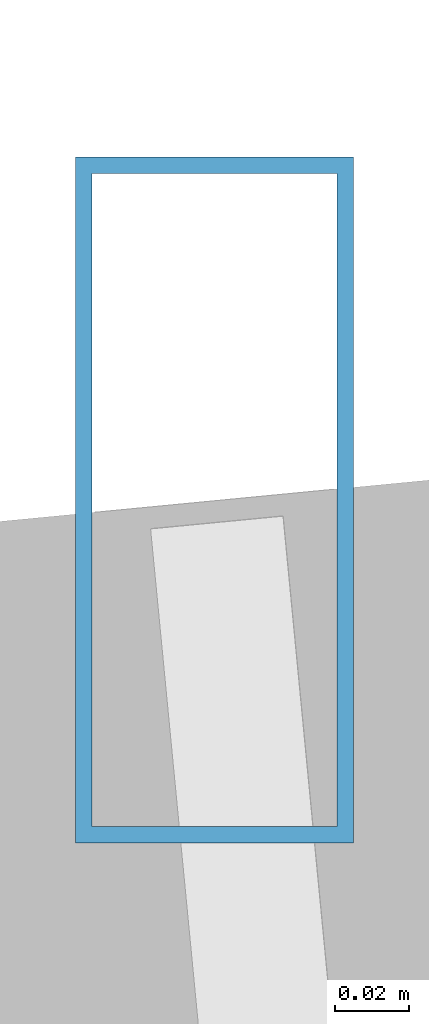
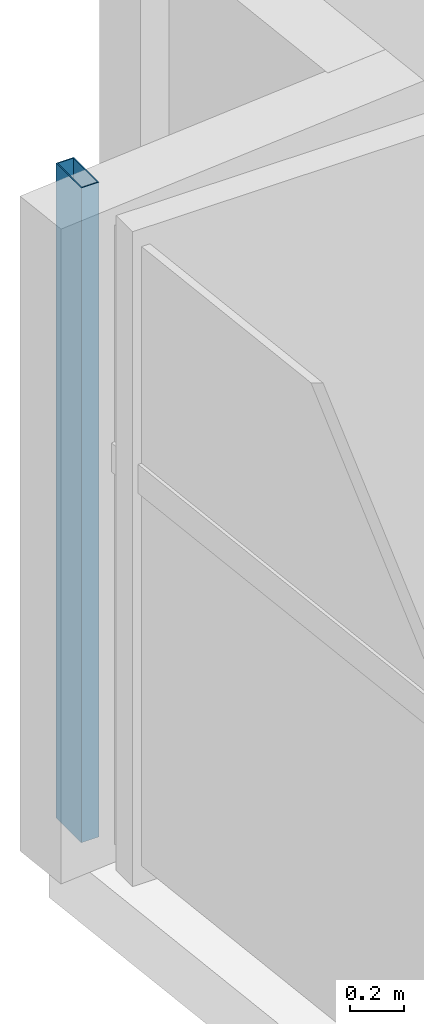
# One storey, part 8 of 27: 1 member, 1 element without a shape of its own.
"""IFC4 building model written with IfcOpenShell, lengths in metres."""

from ifc_helpers import new_model, si_unit, direction, frame, origin, origin_2d, place, context, subcontext, project, spatial, hollow_rectangle, extrude, source, transform, mapped, material, material_profile, profile_set, type_object, type_shapes, element, aggregate, save


model = new_model("IFC4")

# Units and contexts
model_context = context("Model", 3, precision=1e-05, world=origin(), true_north=direction((0.0, 1.0)))
body_context = subcontext(model_context, "Body", "Model", "MODEL_VIEW")
ifc_project = project(units=[si_unit("LENGTHUNIT", "METRE"), si_unit("AREAUNIT", "SQUARE_METRE"), si_unit("VOLUMEUNIT", "CUBIC_METRE"), si_unit("PLANEANGLEUNIT", "RADIAN"), si_unit("MASSUNIT", "GRAM", prefix="KILO")], contexts=[model_context])

# Site, building, storey
site_placement = place(None, origin())
site = spatial("IfcSite", under=ifc_project, at=site_placement, CompositionType="ELEMENT")
building_placement = place(site_placement, origin())
building = spatial("IfcBuilding", under=site, at=building_placement, Name="Astriad Promenade Condominiums", CompositionType="ELEMENT")
storey_placement = place(building_placement, frame((0.0, 0.0, 97.0)))
storey = spatial("IfcBuildingStorey", under=building, at=storey_placement, Name="L27", CompositionType="ELEMENT", Elevation=97.0)

# Curtain wall, member
ifc_material_1 = material(Name="Anodised aluminium Black Dark Glass Unitised", Category="aluminium")
curtain_wall_type = type_object("IfcCurtainWallType", Name="CW-B2-DARK", PredefinedType="USERDEFINED", material=ifc_material_1)
curtain_wall_placement = place(storey_placement, origin())
curtain_wall = element("IfcCurtainWall", 1, at=curtain_wall_placement, inside=storey, type_object=curtain_wall_type, Name="CW-L27-W", ObjectType="UNITISED_CURTAIN_WALL", PredefinedType="USERDEFINED")
ifc_material_2 = material(Name="Anodised aluminium 6063-T6 Black", Category="aluminium")
ifc_material_profile = material_profile(ifc_material_2, hollow_rectangle(XDim=0.074951171875, YDim=0.18505859375, WallThickness=0.00439453125, at=origin_2d()), Name="ALU-MUL-75X185")
ifc_profile_set = profile_set([ifc_material_profile], Name="Anodised aluminium 6063-T6 Black")
member_type = type_object("IfcMemberType", Name="MUL-ALU-MUL-75X185", PredefinedType="MULLION", material=ifc_profile_set)
shared_shape = source(origin(), body_context, "Body", "SweptSolid", [
    extrude(hollow_rectangle(XDim=0.074951171875, YDim=0.18505859375, WallThickness=0.00439453125, at=origin_2d()), origin(), (0.0, 0.0, 1.0), 2.93994140625),
])
type_shapes(member_type, [shared_shape])
member_placement = place(storey_placement, frame((8.94775390625, 20.921875, 0.0), z_axis=(0.0, 0.0, 1.0), x_axis=(1.0, 0.0, 0.0)))
member = element("IfcMember", 2, at=member_placement, type_object=member_type, Name="CW-L27-W-MUL-03", PredefinedType="MULLION", context=body_context, shape_type="MappedRepresentation", body=[
    mapped(shared_shape, transform((0.0, 0.0, 0.0), scale=1.0)),
])
aggregate(curtain_wall, [member])

save(model, "model.ifc")
